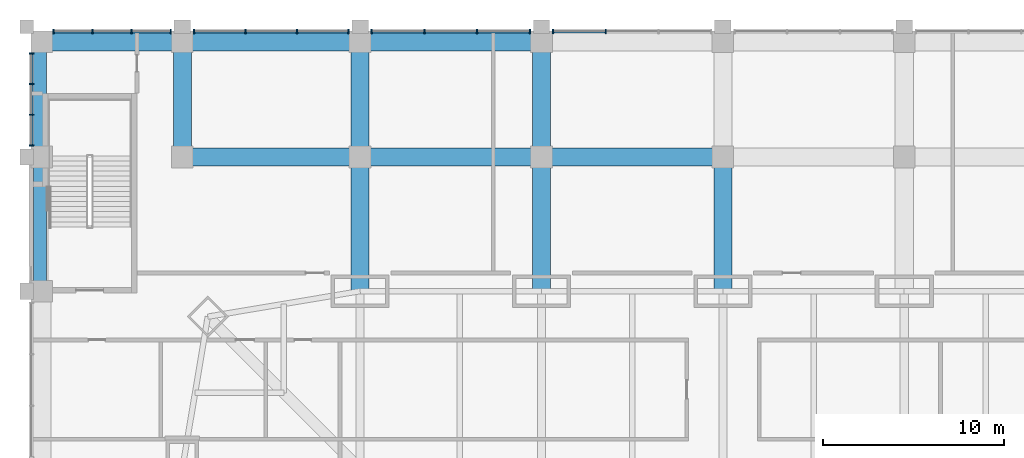
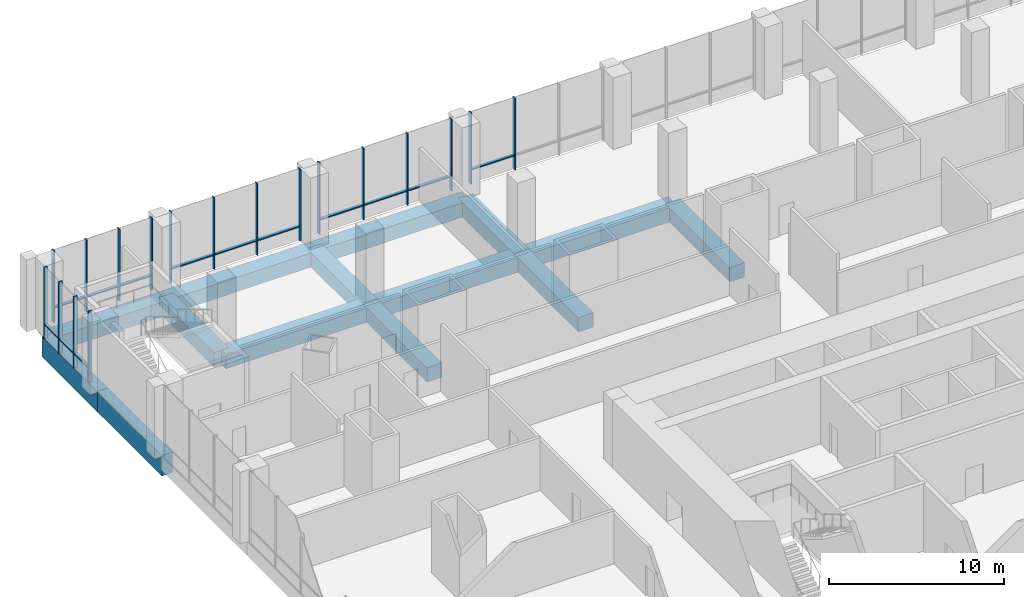
# One storey, part 10 of 24: 31 members, 14 beams, 5 elements without a shape of their own.
"""IFC4 building model written with IfcOpenShell, lengths in metres."""

from ifc_helpers import new_model, si_unit, direction, frame, origin, origin_2d, place, context, subcontext, project, spatial, rectangle, extrude, material, material_profile, profile_set, type_object, element, aggregate, save


model = new_model("IFC4")

# Units and contexts
model_context = context("Model", 3, precision=1e-05, world=origin(), true_north=direction((0.0, 1.0)))
body_context = subcontext(model_context, "Body", "Model", "MODEL_VIEW")
ifc_project = project(units=[si_unit("LENGTHUNIT", "METRE"), si_unit("AREAUNIT", "SQUARE_METRE"), si_unit("VOLUMEUNIT", "CUBIC_METRE"), si_unit("PLANEANGLEUNIT", "RADIAN"), si_unit("MASSUNIT", "GRAM", prefix="KILO")], contexts=[model_context])

# Site, building, storey
site_placement = place(None, origin())
site = spatial("IfcSite", under=ifc_project, at=site_placement, CompositionType="ELEMENT")
building_placement = place(site_placement, origin())
building = spatial("IfcBuilding", under=site, at=building_placement, Name="Khuree Lantern Residences", CompositionType="ELEMENT")
storey_placement = place(building_placement, frame((0.0, 0.0, 11.0)))
storey = spatial("IfcBuildingStorey", under=building, at=storey_placement, Name="L02", CompositionType="ELEMENT", Elevation=11.0)

# Curtain wall, members
ifc_material_1 = material(Name="Bronze anodised aluminium", Category="aluminium")
curtain_wall_type = type_object("IfcCurtainWallType", Name="CW-P PODIUM STOREFRONT CURTAIN WALL", PredefinedType="USERDEFINED", material=ifc_material_1)
curtain_wall_1_placement = place(storey_placement, origin())
curtain_wall_1 = element("IfcCurtainWall", 1, at=curtain_wall_1_placement, inside=storey, type_object=curtain_wall_type, Name="L02 NORTH FACE BAY 5 STOREFRONT", ObjectType="Storefront curtain wall", PredefinedType="USERDEFINED")
ifc_material_profile_1 = material_profile(ifc_material_1, rectangle(XDim=0.074951171875, YDim=0.25, at=origin_2d()), Name="M5 75X250")
ifc_profile_set_1 = profile_set([ifc_material_profile_1], Name="Bronze anodised aluminium")
member_type_1 = type_object("IfcMemberType", Name="MULLION M5 STOREFRONT 75X250", PredefinedType="MULLION", material=ifc_profile_set_1)
member_1_placement = place(storey_placement, frame((-6.4541015625, 44.125, 0.0), z_axis=(0.0, 0.0, 1.0), x_axis=(-1.0, 0.0, 0.0)))
member_1 = element("IfcMember", 2, at=member_1_placement, type_object=member_type_1, Name="L02 NORTH FACE BAY 5 MULLION 3", PredefinedType="MULLION", context=body_context, shape_type="SweptSolid", body=[
    extrude(rectangle(XDim=0.074951171875, YDim=0.25, at=origin_2d()), origin(), (0.0, 0.0, 1.0), 5.0),
])
member_2_placement = place(storey_placement, frame((-9.362548828125, 44.125, 0.0), z_axis=(0.0, 0.0, 1.0), x_axis=(-1.0, 0.0, 0.0)))
member_2 = element("IfcMember", 3, at=member_2_placement, type_object=member_type_1, Name="L02 NORTH FACE BAY 5 MULLION 4", PredefinedType="MULLION", context=body_context, shape_type="SweptSolid", body=[
    extrude(rectangle(XDim=0.074951171875, YDim=0.25, at=origin_2d()), origin(), (0.0, 0.0, 1.0), 5.0),
])

curtain_wall_2_placement = place(storey_placement, origin())
curtain_wall_2 = element("IfcCurtainWall", 4, at=curtain_wall_2_placement, inside=storey, type_object=curtain_wall_type, Name="L02 NORTH FACE BAY 6 STOREFRONT", ObjectType="Storefront curtain wall", PredefinedType="USERDEFINED")
member_3_placement = place(storey_placement, frame((-10.637451171875, 44.125, 0.0), z_axis=(0.0, 0.0, 1.0), x_axis=(-1.0, 0.0, 0.0)))
member_3 = element("IfcMember", 5, at=member_3_placement, type_object=member_type_1, Name="L02 NORTH FACE BAY 6 MULLION 1", PredefinedType="MULLION", context=body_context, shape_type="SweptSolid", body=[
    extrude(rectangle(XDim=0.074951171875, YDim=0.25, at=origin_2d()), origin(), (0.0, 0.0, 1.0), 5.0),
])
member_4_placement = place(storey_placement, frame((-13.5458984375, 44.125, 0.0), z_axis=(0.0, 0.0, 1.0), x_axis=(-1.0, 0.0, 0.0)))
member_4 = element("IfcMember", 6, at=member_4_placement, type_object=member_type_1, Name="L02 NORTH FACE BAY 6 MULLION 2", PredefinedType="MULLION", context=body_context, shape_type="SweptSolid", body=[
    extrude(rectangle(XDim=0.074951171875, YDim=0.25, at=origin_2d()), origin(), (0.0, 0.0, 1.0), 5.0),
])
member_5_placement = place(storey_placement, frame((-16.4541015625, 44.125, 0.0), z_axis=(0.0, 0.0, 1.0), x_axis=(-1.0, 0.0, 0.0)))
member_5 = element("IfcMember", 7, at=member_5_placement, type_object=member_type_1, Name="L02 NORTH FACE BAY 6 MULLION 3", PredefinedType="MULLION", context=body_context, shape_type="SweptSolid", body=[
    extrude(rectangle(XDim=0.074951171875, YDim=0.25, at=origin_2d()), origin(), (0.0, 0.0, 1.0), 5.0),
])
member_6_placement = place(storey_placement, frame((-19.362548828125, 44.125, 0.0), z_axis=(0.0, 0.0, 1.0), x_axis=(-1.0, 0.0, 0.0)))
member_6 = element("IfcMember", 8, at=member_6_placement, type_object=member_type_1, Name="L02 NORTH FACE BAY 6 MULLION 4", PredefinedType="MULLION", context=body_context, shape_type="SweptSolid", body=[
    extrude(rectangle(XDim=0.074951171875, YDim=0.25, at=origin_2d()), origin(), (0.0, 0.0, 1.0), 5.0),
])

curtain_wall_3_placement = place(storey_placement, origin())
curtain_wall_3 = element("IfcCurtainWall", 9, at=curtain_wall_3_placement, inside=storey, type_object=curtain_wall_type, Name="L02 NORTH FACE BAY 7 STOREFRONT", ObjectType="Storefront curtain wall", PredefinedType="USERDEFINED")
member_7_placement = place(storey_placement, frame((-20.637451171875, 44.125, 0.0), z_axis=(0.0, 0.0, 1.0), x_axis=(-1.0, 0.0, 0.0)))
member_7 = element("IfcMember", 10, at=member_7_placement, type_object=member_type_1, Name="L02 NORTH FACE BAY 7 MULLION 1", PredefinedType="MULLION", context=body_context, shape_type="SweptSolid", body=[
    extrude(rectangle(XDim=0.074951171875, YDim=0.25, at=origin_2d()), origin(), (0.0, 0.0, 1.0), 5.0),
])
member_8_placement = place(storey_placement, frame((-23.479248046875, 44.125, 0.0), z_axis=(0.0, 0.0, 1.0), x_axis=(-1.0, 0.0, 0.0)))
member_8 = element("IfcMember", 11, at=member_8_placement, type_object=member_type_1, Name="L02 NORTH FACE BAY 7 MULLION 2", PredefinedType="MULLION", context=body_context, shape_type="SweptSolid", body=[
    extrude(rectangle(XDim=0.074951171875, YDim=0.25, at=origin_2d()), origin(), (0.0, 0.0, 1.0), 5.0),
])
member_9_placement = place(storey_placement, frame((-26.32080078125, 44.125, 0.0), z_axis=(0.0, 0.0, 1.0), x_axis=(-1.0, 0.0, 0.0)))
member_9 = element("IfcMember", 12, at=member_9_placement, type_object=member_type_1, Name="L02 NORTH FACE BAY 7 MULLION 3", PredefinedType="MULLION", context=body_context, shape_type="SweptSolid", body=[
    extrude(rectangle(XDim=0.074951171875, YDim=0.25, at=origin_2d()), origin(), (0.0, 0.0, 1.0), 5.0),
])
member_10_placement = place(storey_placement, frame((-29.16259765625, 44.125, 0.0), z_axis=(0.0, 0.0, 1.0), x_axis=(-1.0, 0.0, 0.0)))
member_10 = element("IfcMember", 13, at=member_10_placement, type_object=member_type_1, Name="L02 NORTH FACE BAY 7 MULLION 4", PredefinedType="MULLION", context=body_context, shape_type="SweptSolid", body=[
    extrude(rectangle(XDim=0.074951171875, YDim=0.25, at=origin_2d()), origin(), (0.0, 0.0, 1.0), 5.0),
])

curtain_wall_4_placement = place(storey_placement, origin())
curtain_wall_4 = element("IfcCurtainWall", 14, at=curtain_wall_4_placement, inside=storey, type_object=curtain_wall_type, Name="L02 NORTH FACE BAY 8 STOREFRONT", ObjectType="Storefront curtain wall", PredefinedType="USERDEFINED")
member_11_placement = place(storey_placement, frame((-30.4375, 44.125, 0.0), z_axis=(0.0, 0.0, 1.0), x_axis=(-1.0, 0.0, 0.0)))
member_11 = element("IfcMember", 15, at=member_11_placement, type_object=member_type_1, Name="L02 NORTH FACE BAY 8 MULLION 1", PredefinedType="MULLION", context=body_context, shape_type="SweptSolid", body=[
    extrude(rectangle(XDim=0.074951171875, YDim=0.25, at=origin_2d()), origin(), (0.0, 0.0, 1.0), 5.0),
])
member_12_placement = place(storey_placement, frame((-32.595947265625, 44.125, 0.0), z_axis=(0.0, 0.0, 1.0), x_axis=(-1.0, 0.0, 0.0)))
member_12 = element("IfcMember", 16, at=member_12_placement, type_object=member_type_1, Name="L02 NORTH FACE BAY 8 MULLION 2", PredefinedType="MULLION", context=body_context, shape_type="SweptSolid", body=[
    extrude(rectangle(XDim=0.074951171875, YDim=0.25, at=origin_2d()), origin(), (0.0, 0.0, 1.0), 5.0),
])
member_13_placement = place(storey_placement, frame((-34.754150390625, 44.125, 0.0), z_axis=(0.0, 0.0, 1.0), x_axis=(-1.0, 0.0, 0.0)))
member_13 = element("IfcMember", 17, at=member_13_placement, type_object=member_type_1, Name="L02 NORTH FACE BAY 8 MULLION 3", PredefinedType="MULLION", context=body_context, shape_type="SweptSolid", body=[
    extrude(rectangle(XDim=0.074951171875, YDim=0.25, at=origin_2d()), origin(), (0.0, 0.0, 1.0), 5.0),
])
member_14_placement = place(storey_placement, frame((-36.91259765625, 44.125, 0.0), z_axis=(0.0, 0.0, 1.0), x_axis=(-1.0, 0.0, 0.0)))
member_14 = element("IfcMember", 18, at=member_14_placement, type_object=member_type_1, Name="L02 NORTH FACE BAY 8 MULLION 4", PredefinedType="MULLION", context=body_context, shape_type="SweptSolid", body=[
    extrude(rectangle(XDim=0.074951171875, YDim=0.25, at=origin_2d()), origin(), (0.0, 0.0, 1.0), 5.0),
])

curtain_wall_5_placement = place(storey_placement, origin())
curtain_wall_5 = element("IfcCurtainWall", 19, at=curtain_wall_5_placement, inside=storey, type_object=curtain_wall_type, Name="L02 WEST FACE BAY 1 STOREFRONT", ObjectType="Storefront curtain wall", PredefinedType="USERDEFINED")
member_15_placement = place(storey_placement, frame((-38.125, 42.91259765625, 0.0), z_axis=(0.0, 0.0, 1.0), x_axis=(0.0, -1.0, 0.0)))
member_15 = element("IfcMember", 20, at=member_15_placement, type_object=member_type_1, Name="L02 WEST FACE BAY 1 MULLION 1", PredefinedType="MULLION", context=body_context, shape_type="SweptSolid", body=[
    extrude(rectangle(XDim=0.074951171875, YDim=0.25, at=origin_2d()), origin(), (0.0, 0.0, 1.0), 5.0),
])
member_16_placement = place(storey_placement, frame((-38.125, 41.220947265625, 0.0), z_axis=(0.0, 0.0, 1.0), x_axis=(0.0, -1.0, 0.0)))
member_16 = element("IfcMember", 21, at=member_16_placement, type_object=member_type_1, Name="L02 WEST FACE BAY 1 MULLION 2", PredefinedType="MULLION", context=body_context, shape_type="SweptSolid", body=[
    extrude(rectangle(XDim=0.074951171875, YDim=0.25, at=origin_2d()), origin(), (0.0, 0.0, 1.0), 5.0),
])
member_17_placement = place(storey_placement, frame((-38.125, 39.529052734375, 0.0), z_axis=(0.0, 0.0, 1.0), x_axis=(0.0, -1.0, 0.0)))
member_17 = element("IfcMember", 22, at=member_17_placement, type_object=member_type_1, Name="L02 WEST FACE BAY 1 MULLION 3", PredefinedType="MULLION", context=body_context, shape_type="SweptSolid", body=[
    extrude(rectangle(XDim=0.074951171875, YDim=0.25, at=origin_2d()), origin(), (0.0, 0.0, 1.0), 5.0),
])
member_18_placement = place(storey_placement, frame((-38.125, 37.83740234375, 0.0), z_axis=(0.0, 0.0, 1.0), x_axis=(0.0, -1.0, 0.0)))
member_18 = element("IfcMember", 23, at=member_18_placement, type_object=member_type_1, Name="L02 WEST FACE BAY 1 MULLION 4", PredefinedType="MULLION", context=body_context, shape_type="SweptSolid", body=[
    extrude(rectangle(XDim=0.074951171875, YDim=0.25, at=origin_2d()), origin(), (0.0, 0.0, 1.0), 5.0),
])

# Beams
ifc_material_2 = material(Name="Concrete C40/50", Category="concrete")
ifc_material_profile_2 = material_profile(ifc_material_2, rectangle(XDim=1.0, YDim=1.0, at=origin_2d()), Name="RC 1000X1000")
ifc_profile_set_2 = profile_set([ifc_material_profile_2], Name="Concrete C40/50")
beam_type_1 = type_object("IfcBeamType", Name="RB3 PODIUM BEAM RC 1000X1000", PredefinedType="BEAM", material=ifc_profile_set_2)
beam_1_placement = place(storey_placement, frame((-29.800048828125, 37.199951171875, -0.800048828125), z_axis=(1.0, 0.0, 0.0), x_axis=(0.0, 1.0, 0.0)))
element("IfcBeam", 24, at=beam_1_placement, inside=storey, type_object=beam_type_1, Name="Podium beam RB-11", PredefinedType="BEAM", context=body_context, shape_type="SweptSolid", body=[
    extrude(rectangle(XDim=1.0, YDim=1.0, at=origin_2d()), origin(), (0.0, 0.0, 1.0), 9.800048828125),
])
for number, where, z_axis, x_axis, name in (
    (25, (-20.0, 37.199951171875, -0.800048828125), (1.0, 0.0, 0.0), (0.0, 1.0, 0.0), "Podium beam RB-12"),
    (26, (-10.0, 37.199951171875, -0.800048828125), (1.0, 0.0, 0.0), (0.0, 1.0, 0.0), "Podium beam RB-13"),
):
    element("IfcBeam", number, at=place(storey_placement, frame(where, z_axis=z_axis, x_axis=x_axis)), inside=storey, type_object=beam_type_1, Name=name, PredefinedType="BEAM", context=body_context, shape_type="SweptSolid", body=[
        extrude(rectangle(XDim=1.0, YDim=1.0, at=origin_2d()), origin(), (0.0, 0.0, 1.0), 10.0),
    ])
beam_2_placement = place(storey_placement, frame((-37.550048828125, 43.550048828125, -0.800048828125), z_axis=(1.0, 0.0, 0.0), x_axis=(0.0, 1.0, 0.0)))
element("IfcBeam", 27, at=beam_2_placement, inside=storey, type_object=beam_type_1, Name="Podium beam RB-17", PredefinedType="BEAM", context=body_context, shape_type="SweptSolid", body=[
    extrude(rectangle(XDim=1.0, YDim=1.0, at=origin_2d()), origin(), (0.0, 0.0, 1.0), 7.75),
])
beam_3_placement = place(storey_placement, frame((-29.800048828125, 43.550048828125, -0.800048828125), z_axis=(1.0, 0.0, 0.0), x_axis=(0.0, 1.0, 0.0)))
element("IfcBeam", 28, at=beam_3_placement, inside=storey, type_object=beam_type_1, Name="Podium beam RB-18", PredefinedType="BEAM", context=body_context, shape_type="SweptSolid", body=[
    extrude(rectangle(XDim=1.0, YDim=1.0, at=origin_2d()), origin(), (0.0, 0.0, 1.0), 9.800048828125),
])
beam_4_placement = place(storey_placement, frame((-20.0, 43.550048828125, -0.800048828125), z_axis=(1.0, 0.0, 0.0), x_axis=(0.0, 1.0, 0.0)))
element("IfcBeam", 29, at=beam_4_placement, inside=storey, type_object=beam_type_1, Name="Podium beam RB-19", PredefinedType="BEAM", context=body_context, shape_type="SweptSolid", body=[
    extrude(rectangle(XDim=1.0, YDim=1.0, at=origin_2d()), origin(), (0.0, 0.0, 1.0), 10.0),
])
beam_5_placement = place(storey_placement, frame((-29.800048828125, 37.199951171875, -0.800048828125), z_axis=(0.0, 1.0, 0.0), x_axis=(-1.0, 0.0, 0.0)))
element("IfcBeam", 30, at=beam_5_placement, inside=storey, type_object=beam_type_1, Name="Podium beam RB-33", PredefinedType="BEAM", context=body_context, shape_type="SweptSolid", body=[
    extrude(rectangle(XDim=1.0, YDim=1.0, at=origin_2d()), origin(), (0.0, 0.0, 1.0), 6.35009765625),
])
beam_6_placement = place(storey_placement, frame((-20.0, 29.800048828125, -0.800048828125), z_axis=(0.0, 1.0, 0.0), x_axis=(-1.0, 0.0, 0.0)))
element("IfcBeam", 31, at=beam_6_placement, inside=storey, type_object=beam_type_1, Name="Podium beam RB-34", PredefinedType="BEAM", context=body_context, shape_type="SweptSolid", body=[
    extrude(rectangle(XDim=1.0, YDim=1.0, at=origin_2d()), origin(), (0.0, 0.0, 1.0), 7.39990234375),
])
beam_7_placement = place(storey_placement, frame((-20.0, 37.199951171875, -0.800048828125), z_axis=(0.0, 1.0, 0.0), x_axis=(-1.0, 0.0, 0.0)))
element("IfcBeam", 32, at=beam_7_placement, inside=storey, type_object=beam_type_1, Name="Podium beam RB-35", PredefinedType="BEAM", context=body_context, shape_type="SweptSolid", body=[
    extrude(rectangle(XDim=1.0, YDim=1.0, at=origin_2d()), origin(), (0.0, 0.0, 1.0), 6.35009765625),
])
beam_8_placement = place(storey_placement, frame((-10.0, 29.800048828125, -0.800048828125), z_axis=(0.0, 1.0, 0.0), x_axis=(-1.0, 0.0, 0.0)))
element("IfcBeam", 33, at=beam_8_placement, inside=storey, type_object=beam_type_1, Name="Podium beam RB-36", PredefinedType="BEAM", context=body_context, shape_type="SweptSolid", body=[
    extrude(rectangle(XDim=1.0, YDim=1.0, at=origin_2d()), origin(), (0.0, 0.0, 1.0), 7.39990234375),
])
beam_9_placement = place(storey_placement, frame((-10.0, 37.199951171875, -0.800048828125), z_axis=(0.0, 1.0, 0.0), x_axis=(-1.0, 0.0, 0.0)))
element("IfcBeam", 34, at=beam_9_placement, inside=storey, type_object=beam_type_1, Name="Podium beam RB-37", PredefinedType="BEAM", context=body_context, shape_type="SweptSolid", body=[
    extrude(rectangle(XDim=1.0, YDim=1.0, at=origin_2d()), origin(), (0.0, 0.0, 1.0), 6.35009765625),
])
beam_10_placement = place(storey_placement, frame((0.0, 29.800048828125, -0.800048828125), z_axis=(0.0, 1.0, 0.0), x_axis=(-1.0, 0.0, 0.0)))
element("IfcBeam", 35, at=beam_10_placement, inside=storey, type_object=beam_type_1, Name="Podium beam RB-38", PredefinedType="BEAM", context=body_context, shape_type="SweptSolid", body=[
    extrude(rectangle(XDim=1.0, YDim=1.0, at=origin_2d()), origin(), (0.0, 0.0, 1.0), 7.39990234375),
])
ifc_material_profile_3 = material_profile(ifc_material_2, rectangle(XDim=0.699951171875, YDim=1.429931640625, at=origin_2d()), Name="RC 700X1430")
ifc_profile_set_3 = profile_set([ifc_material_profile_3], Name="Concrete C40/50")
beam_type_2 = type_object("IfcBeamType", Name="RB7 PODIUM BEAM AT STAIR RC 700X1430", PredefinedType="BEAM", material=ifc_profile_set_3)
beam_11_placement = place(storey_placement, frame((-37.64990234375, 29.800048828125, -1.014892578125), z_axis=(0.0, 1.0, 0.0), x_axis=(-1.0, 0.0, 0.0)))
element("IfcBeam", 36, at=beam_11_placement, inside=storey, type_object=beam_type_2, Name="Podium beam at stair RB-31", PredefinedType="BEAM", context=body_context, shape_type="SweptSolid", body=[
    extrude(rectangle(XDim=0.699951171875, YDim=1.429931640625, at=origin_2d()), origin(), (0.0, 0.0, 1.0), 7.39990234375),
])
beam_12_placement = place(storey_placement, frame((-37.64990234375, 37.199951171875, -1.014892578125), z_axis=(0.0, 1.0, 0.0), x_axis=(-1.0, 0.0, 0.0)))
element("IfcBeam", 37, at=beam_12_placement, inside=storey, type_object=beam_type_2, Name="Podium beam at stair RB-32", PredefinedType="BEAM", context=body_context, shape_type="SweptSolid", body=[
    extrude(rectangle(XDim=0.699951171875, YDim=1.429931640625, at=origin_2d()), origin(), (0.0, 0.0, 1.0), 6.35009765625),
])

# Member
ifc_material_profile_4 = material_profile(ifc_material_1, rectangle(XDim=0.199951171875, YDim=0.074951171875, at=origin_2d()), Name="T5 200X75")
ifc_profile_set_4 = profile_set([ifc_material_profile_4], Name="Bronze anodised aluminium")
member_type_2 = type_object("IfcMemberType", Name="TRANSOM T5 STOREFRONT 200X75", PredefinedType="USERDEFINED", material=ifc_profile_set_4)
member_19_placement = place(storey_placement, frame((-6.49169921875, 44.1201171875, 1.0), z_axis=(-1.0, 0.0, 0.0), x_axis=(0.0, -1.0, 0.0)))
member_19 = element("IfcMember", 38, at=member_19_placement, type_object=member_type_2, Name="L02 NORTH FACE BAY 5 TRANSOM 3", ObjectType="Transom", PredefinedType="USERDEFINED", context=body_context, shape_type="SweptSolid", body=[
    extrude(rectangle(XDim=0.199951171875, YDim=0.074951171875, at=origin_2d()), origin(), (0.0, 0.0, 1.0), 2.833251953125),
])

aggregate(curtain_wall_1, [member_1, member_2, member_19])

member_20_placement = place(storey_placement, frame((-10.675048828125, 44.1201171875, 1.0), z_axis=(-1.0, 0.0, 0.0), x_axis=(0.0, -1.0, 0.0)))
member_20 = element("IfcMember", 39, at=member_20_placement, type_object=member_type_2, Name="L02 NORTH FACE BAY 6 TRANSOM 1", ObjectType="Transom", PredefinedType="USERDEFINED", context=body_context, shape_type="SweptSolid", body=[
    extrude(rectangle(XDim=0.199951171875, YDim=0.074951171875, at=origin_2d()), origin(), (0.0, 0.0, 1.0), 2.833251953125),
])

member_21_placement = place(storey_placement, frame((-13.583251953125, 44.1201171875, 1.0), z_axis=(-1.0, 0.0, 0.0), x_axis=(0.0, -1.0, 0.0)))
member_21 = element("IfcMember", 40, at=member_21_placement, type_object=member_type_2, Name="L02 NORTH FACE BAY 6 TRANSOM 2", ObjectType="Transom", PredefinedType="USERDEFINED", context=body_context, shape_type="SweptSolid", body=[
    extrude(rectangle(XDim=0.199951171875, YDim=0.074951171875, at=origin_2d()), origin(), (0.0, 0.0, 1.0), 2.83349609375),
])

member_22_placement = place(storey_placement, frame((-16.49169921875, 44.1201171875, 1.0), z_axis=(-1.0, 0.0, 0.0), x_axis=(0.0, -1.0, 0.0)))
member_22 = element("IfcMember", 41, at=member_22_placement, type_object=member_type_2, Name="L02 NORTH FACE BAY 6 TRANSOM 3", ObjectType="Transom", PredefinedType="USERDEFINED", context=body_context, shape_type="SweptSolid", body=[
    extrude(rectangle(XDim=0.199951171875, YDim=0.074951171875, at=origin_2d()), origin(), (0.0, 0.0, 1.0), 2.833251953125),
])

aggregate(curtain_wall_2, [member_3, member_4, member_5, member_6, member_20, member_21, member_22])

member_23_placement = place(storey_placement, frame((-20.675048828125, 44.1201171875, 1.0), z_axis=(-1.0, 0.0, 0.0), x_axis=(0.0, -1.0, 0.0)))
member_23 = element("IfcMember", 42, at=member_23_placement, type_object=member_type_2, Name="L02 NORTH FACE BAY 7 TRANSOM 1", ObjectType="Transom", PredefinedType="USERDEFINED", context=body_context, shape_type="SweptSolid", body=[
    extrude(rectangle(XDim=0.199951171875, YDim=0.074951171875, at=origin_2d()), origin(), (0.0, 0.0, 1.0), 2.7666015625),
])

member_24_placement = place(storey_placement, frame((-23.5166015625, 44.1201171875, 1.0), z_axis=(-1.0, 0.0, 0.0), x_axis=(0.0, -1.0, 0.0)))
member_24 = element("IfcMember", 43, at=member_24_placement, type_object=member_type_2, Name="L02 NORTH FACE BAY 7 TRANSOM 2", ObjectType="Transom", PredefinedType="USERDEFINED", context=body_context, shape_type="SweptSolid", body=[
    extrude(rectangle(XDim=0.199951171875, YDim=0.074951171875, at=origin_2d()), origin(), (0.0, 0.0, 1.0), 2.766845703125),
])

member_25_placement = place(storey_placement, frame((-26.3583984375, 44.1201171875, 1.0), z_axis=(-1.0, 0.0, 0.0), x_axis=(0.0, -1.0, 0.0)))
member_25 = element("IfcMember", 44, at=member_25_placement, type_object=member_type_2, Name="L02 NORTH FACE BAY 7 TRANSOM 3", ObjectType="Transom", PredefinedType="USERDEFINED", context=body_context, shape_type="SweptSolid", body=[
    extrude(rectangle(XDim=0.199951171875, YDim=0.074951171875, at=origin_2d()), origin(), (0.0, 0.0, 1.0), 2.7666015625),
])

aggregate(curtain_wall_3, [member_7, member_8, member_9, member_10, member_23, member_24, member_25])

member_26_placement = place(storey_placement, frame((-30.47509765625, 44.1201171875, 1.0), z_axis=(-1.0, 0.0, 0.0), x_axis=(0.0, -1.0, 0.0)))
member_26 = element("IfcMember", 45, at=member_26_placement, type_object=member_type_2, Name="L02 NORTH FACE BAY 8 TRANSOM 1", ObjectType="Transom", PredefinedType="USERDEFINED", context=body_context, shape_type="SweptSolid", body=[
    extrude(rectangle(XDim=0.199951171875, YDim=0.074951171875, at=origin_2d()), origin(), (0.0, 0.0, 1.0), 2.083251953125),
])

member_27_placement = place(storey_placement, frame((-32.63330078125, 44.1201171875, 1.0), z_axis=(-1.0, 0.0, 0.0), x_axis=(0.0, -1.0, 0.0)))
member_27 = element("IfcMember", 46, at=member_27_placement, type_object=member_type_2, Name="L02 NORTH FACE BAY 8 TRANSOM 2", ObjectType="Transom", PredefinedType="USERDEFINED", context=body_context, shape_type="SweptSolid", body=[
    extrude(rectangle(XDim=0.199951171875, YDim=0.074951171875, at=origin_2d()), origin(), (0.0, 0.0, 1.0), 2.083251953125),
])

member_28_placement = place(storey_placement, frame((-34.791748046875, 44.1201171875, 1.0), z_axis=(-1.0, 0.0, 0.0), x_axis=(0.0, -1.0, 0.0)))
member_28 = element("IfcMember", 47, at=member_28_placement, type_object=member_type_2, Name="L02 NORTH FACE BAY 8 TRANSOM 3", ObjectType="Transom", PredefinedType="USERDEFINED", context=body_context, shape_type="SweptSolid", body=[
    extrude(rectangle(XDim=0.199951171875, YDim=0.074951171875, at=origin_2d()), origin(), (0.0, 0.0, 1.0), 2.083251953125),
])

aggregate(curtain_wall_4, [member_11, member_12, member_13, member_14, member_26, member_27, member_28])

member_29_placement = place(storey_placement, frame((-38.1201171875, 42.875, 1.0), z_axis=(0.0, -1.0, 0.0), x_axis=(1.0, 0.0, 0.0)))
member_29 = element("IfcMember", 48, at=member_29_placement, type_object=member_type_2, Name="L02 WEST FACE BAY 1 TRANSOM 1", ObjectType="Transom", PredefinedType="USERDEFINED", context=body_context, shape_type="SweptSolid", body=[
    extrude(rectangle(XDim=0.199951171875, YDim=0.074951171875, at=origin_2d()), origin(), (0.0, 0.0, 1.0), 1.61669921875),
])

member_30_placement = place(storey_placement, frame((-38.1201171875, 41.183349609375, 1.0), z_axis=(0.0, -1.0, 0.0), x_axis=(1.0, 0.0, 0.0)))
member_30 = element("IfcMember", 49, at=member_30_placement, type_object=member_type_2, Name="L02 WEST FACE BAY 1 TRANSOM 2", ObjectType="Transom", PredefinedType="USERDEFINED", context=body_context, shape_type="SweptSolid", body=[
    extrude(rectangle(XDim=0.199951171875, YDim=0.074951171875, at=origin_2d()), origin(), (0.0, 0.0, 1.0), 1.61669921875),
])

member_31_placement = place(storey_placement, frame((-38.1201171875, 39.49169921875, 1.0), z_axis=(0.0, -1.0, 0.0), x_axis=(1.0, 0.0, 0.0)))
member_31 = element("IfcMember", 50, at=member_31_placement, type_object=member_type_2, Name="L02 WEST FACE BAY 1 TRANSOM 3", ObjectType="Transom", PredefinedType="USERDEFINED", context=body_context, shape_type="SweptSolid", body=[
    extrude(rectangle(XDim=0.199951171875, YDim=0.074951171875, at=origin_2d()), origin(), (0.0, 0.0, 1.0), 1.61669921875),
])

aggregate(curtain_wall_5, [member_15, member_16, member_17, member_18, member_29, member_30, member_31])

save(model, "model.ifc")
